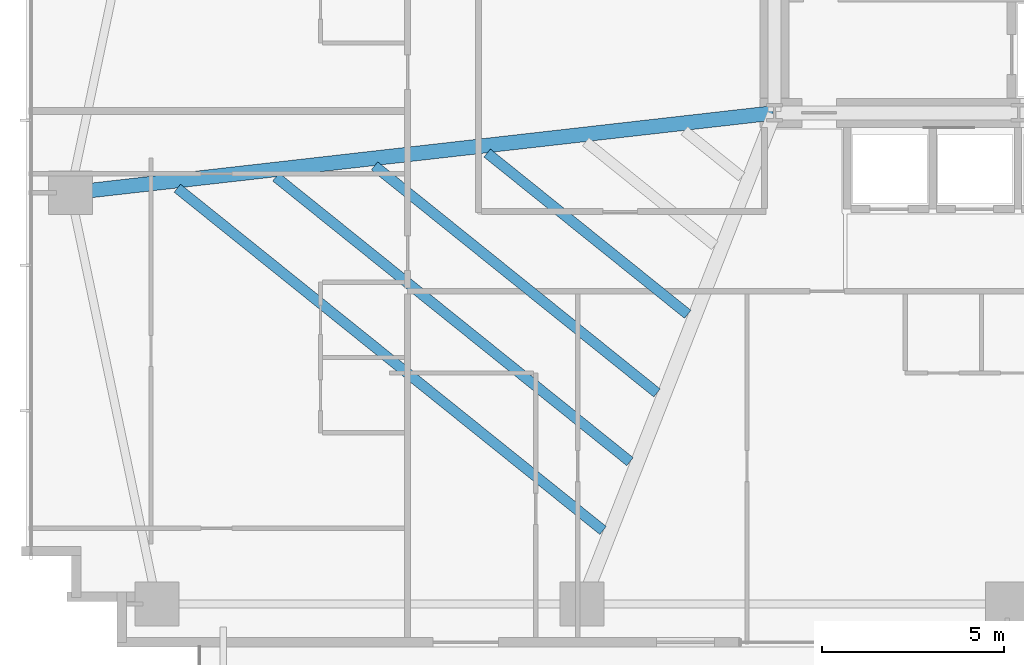
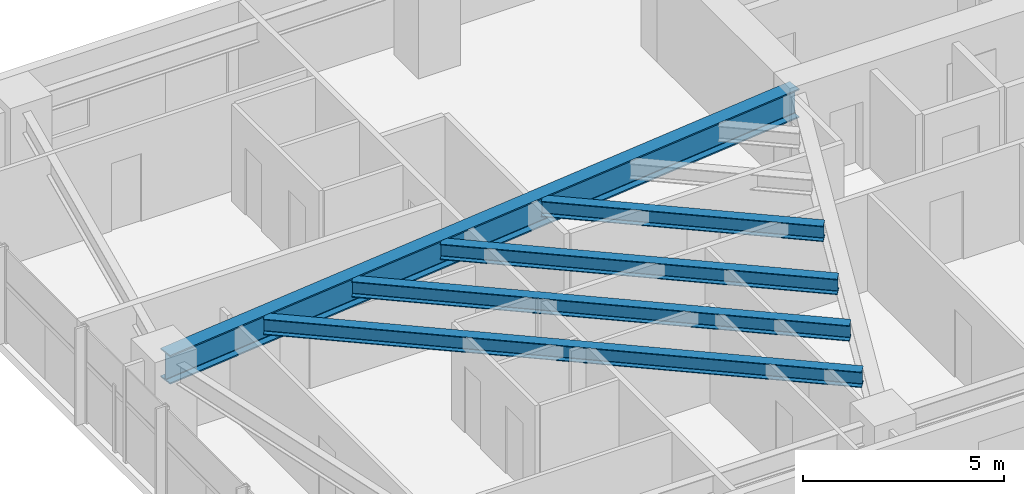
# One storey, part 5 of 25: 5 beams.
"""IFC4 building model written with IfcOpenShell, lengths in metres."""

from ifc_helpers import new_model, si_unit, direction, frame, origin, origin_2d, place, context, subcontext, project, spatial, i_section, extrude, source, transform, mapped, material, material_profile, profile_set, type_object, type_shapes, element, save


model = new_model("IFC4")

# Units and contexts
model_context = context("Model", 3, precision=1e-05, world=origin(), true_north=direction((0.0, 1.0)))
body_context = subcontext(model_context, "Body", "Model", "MODEL_VIEW")
ifc_project = project(units=[si_unit("LENGTHUNIT", "METRE"), si_unit("AREAUNIT", "SQUARE_METRE"), si_unit("VOLUMEUNIT", "CUBIC_METRE"), si_unit("PLANEANGLEUNIT", "RADIAN"), si_unit("MASSUNIT", "GRAM", prefix="KILO")], contexts=[model_context])

# Site, building, storey
site_placement = place(None, origin())
site = spatial("IfcSite", under=ifc_project, at=site_placement, CompositionType="ELEMENT")
building_placement = place(site_placement, origin())
building = spatial("IfcBuilding", under=site, at=building_placement, Name="Astriad Promenade Condominiums", CompositionType="ELEMENT")
storey_placement = place(building_placement, frame((0.0, 0.0, 39.0)))
storey = spatial("IfcBuildingStorey", under=building, at=storey_placement, Name="L10", CompositionType="ELEMENT", Elevation=39.0)

# Beams
ifc_material = material(Name="Steel ASTM A992 Grade 50", Category="steel")
ifc_material_profile_1 = material_profile(ifc_material, i_section(OverallWidth=0.4013671875, OverallDepth=0.877197265625, WebThickness=0.022216796875, FlangeThickness=0.039794921875, FilletRadius=0.02294921875, at=origin_2d()), Name="W33X263")
ifc_profile_set_1 = profile_set([ifc_material_profile_1], Name="Steel ASTM A992 Grade 50")
beam_type_1 = type_object("IfcBeamType", Name="STEEL PRIMARY GIRDER W33X263", PredefinedType="BEAM", material=ifc_profile_set_1)
shared_shape_1 = source(origin(), body_context, "Body", "SweptSolid", [
    extrude(i_section(OverallWidth=0.4013671875, OverallDepth=0.877197265625, WebThickness=0.022216796875, FlangeThickness=0.039794921875, FilletRadius=0.02294921875, at=origin_2d()), origin(), (0.0, 0.0, 1.0), 19.424560546875),
])
type_shapes(beam_type_1, [shared_shape_1])
beam_1_placement = place(storey_placement, frame((7.059814453125, 15.20458984375, 2.50146484375), z_axis=(0.993618675315, 0.11279152479, 0.0), x_axis=(-0.11279152479, 0.993618675315, 0.0)))
element("IfcBeam", 1, at=beam_1_placement, inside=storey, type_object=beam_type_1, Name="Primary Floor Girder PG-WM-L10", PredefinedType="BEAM", context=body_context, shape_type="MappedRepresentation", body=[
    mapped(shared_shape_1, transform((0.0, 0.0, 0.0), scale=1.0)),
])
ifc_material_profile_2 = material_profile(ifc_material, i_section(OverallWidth=0.283203125, OverallDepth=0.47216796875, WebThickness=0.013671875, FlangeThickness=0.022216796875, FilletRadius=0.01513671875, at=origin_2d()), Name="W18X97")
ifc_profile_set_2 = profile_set([ifc_material_profile_2], Name="Steel ASTM A992 Grade 50")
beam_type_2 = type_object("IfcBeamType", Name="STEEL FLOOR JOIST W18X97", PredefinedType="JOIST", material=ifc_profile_set_2)
shared_shape_2 = source(origin(), body_context, "Body", "SweptSolid", [
    extrude(i_section(OverallWidth=0.283203125, OverallDepth=0.47216796875, WebThickness=0.013671875, FlangeThickness=0.022216796875, FilletRadius=0.01513671875, at=origin_2d()), origin(), (0.0, 0.0, 1.0), 15.033447265625),
])
beam_2_placement = place(storey_placement, frame((9.961181640625, 15.32470703125, 2.703857421875), z_axis=(0.779353434302, -0.626584570862, 0.0), x_axis=(0.626584570862, 0.779353434302, 0.0)))
element("IfcBeam", 2, at=beam_2_placement, inside=storey, type_object=beam_type_2, Name="Secondary Composite Floor Joist JW1-1-L10", PredefinedType="JOIST", context=body_context, shape_type="MappedRepresentation", body=[
    mapped(shared_shape_2, transform((0.0, 0.0, 0.0), scale=1.0)),
])
shared_shape_3 = source(origin(), body_context, "Body", "SweptSolid", [
    extrude(i_section(OverallWidth=0.283203125, OverallDepth=0.47216796875, WebThickness=0.013671875, FlangeThickness=0.022216796875, FilletRadius=0.01513671875, at=origin_2d()), origin(), (0.0, 0.0, 1.0), 12.50439453125),
])
beam_3_placement = place(storey_placement, frame((12.67431640625, 15.6328125, 2.703857421875), z_axis=(0.77935791062, -0.626579003122, 0.0), x_axis=(0.626579003122, 0.77935791062, 0.0)))
element("IfcBeam", 3, at=beam_3_placement, inside=storey, type_object=beam_type_2, Name="Secondary Composite Floor Joist JW1-2-L10", PredefinedType="JOIST", context=body_context, shape_type="MappedRepresentation", body=[
    mapped(shared_shape_3, transform((0.0, 0.0, 0.0), scale=1.0)),
])
shared_shape_4 = source(origin(), body_context, "Body", "SweptSolid", [
    extrude(i_section(OverallWidth=0.283203125, OverallDepth=0.47216796875, WebThickness=0.013671875, FlangeThickness=0.022216796875, FilletRadius=0.01513671875, at=origin_2d()), origin(), (0.0, 0.0, 1.0), 9.97509765625),
])
beam_4_placement = place(storey_placement, frame((15.387451171875, 15.94091796875, 2.703857421875), z_axis=(0.779355047887, -0.626582563859, 0.0), x_axis=(0.626582563859, 0.779355047887, 0.0)))
element("IfcBeam", 4, at=beam_4_placement, inside=storey, type_object=beam_type_2, Name="Secondary Composite Floor Joist JW1-3-L10", PredefinedType="JOIST", context=body_context, shape_type="MappedRepresentation", body=[
    mapped(shared_shape_4, transform((0.0, 0.0, 0.0), scale=1.0)),
])
shared_shape_5 = source(origin(), body_context, "Body", "SweptSolid", [
    extrude(i_section(OverallWidth=0.283203125, OverallDepth=0.47216796875, WebThickness=0.013671875, FlangeThickness=0.022216796875, FilletRadius=0.01513671875, at=origin_2d()), origin(), (0.0, 0.0, 1.0), 7.08447265625),
])
type_shapes(beam_type_2, [shared_shape_2, shared_shape_3, shared_shape_4, shared_shape_5])
beam_5_placement = place(storey_placement, frame((18.48828125, 16.292724609375, 2.703857421875), z_axis=(0.779353562297, -0.62658441166, 0.0), x_axis=(0.62658441166, 0.779353562297, 0.0)))
element("IfcBeam", 5, at=beam_5_placement, inside=storey, type_object=beam_type_2, Name="Secondary Composite Floor Joist JW1-4-L10", PredefinedType="JOIST", context=body_context, shape_type="MappedRepresentation", body=[
    mapped(shared_shape_5, transform((0.0, 0.0, 0.0), scale=1.0)),
])

save(model, "model.ifc")
